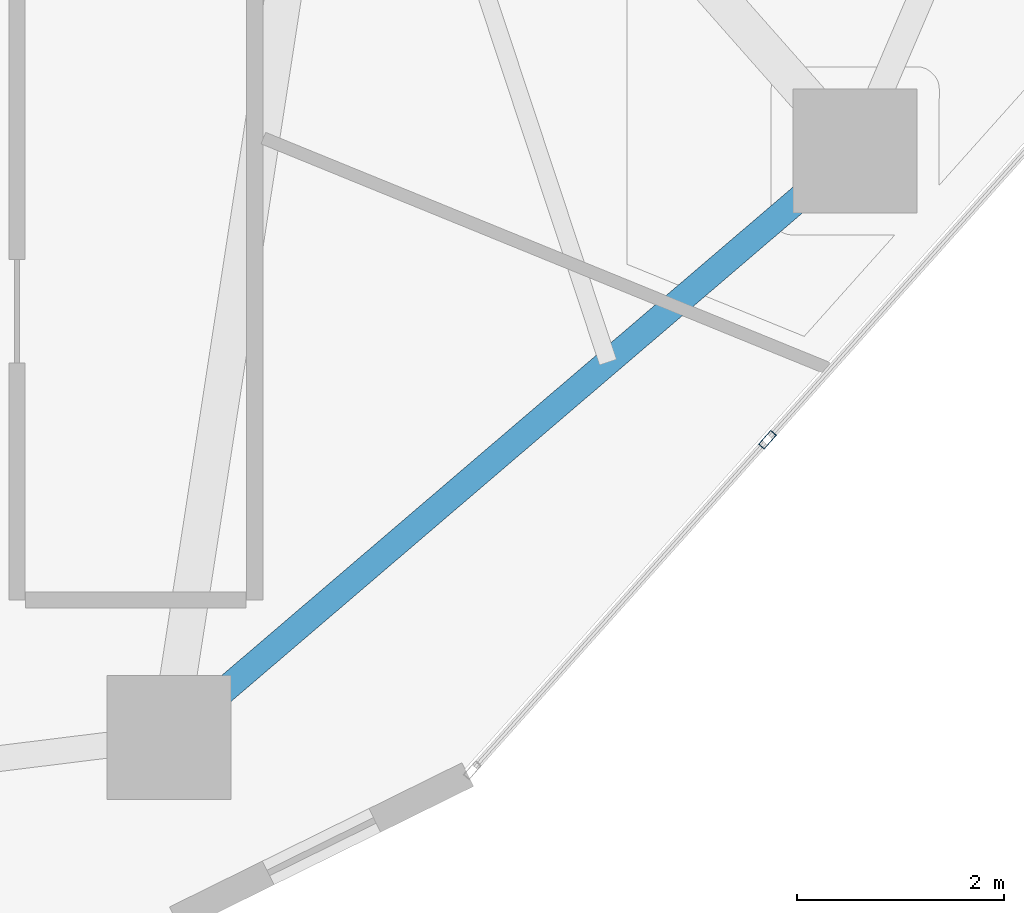
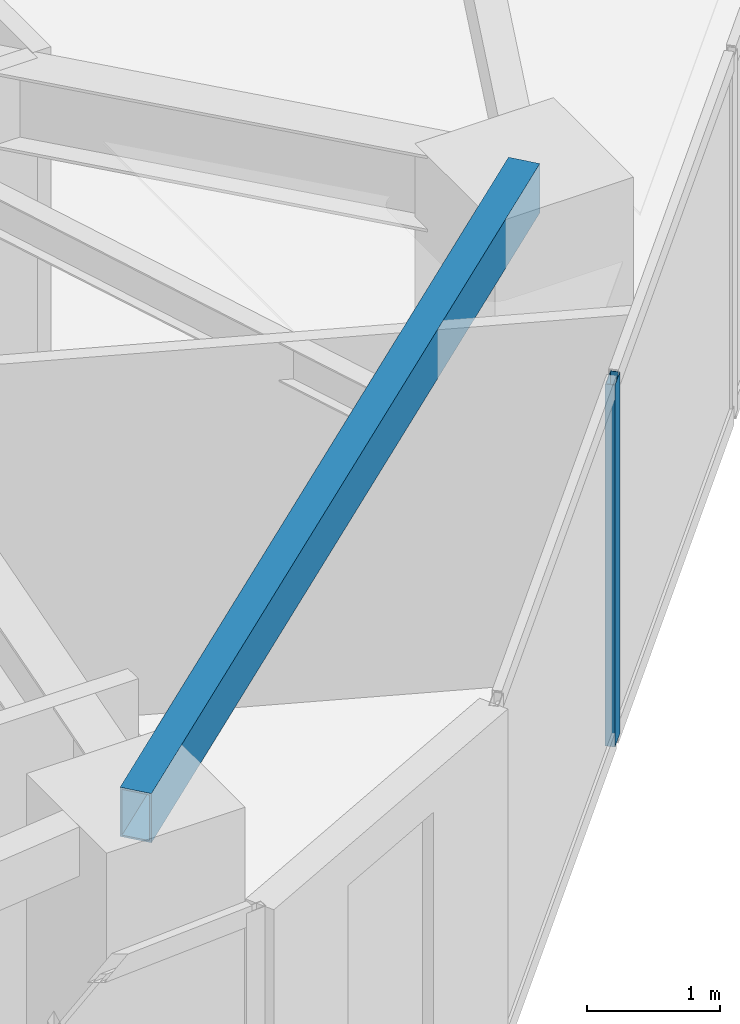
# One storey, part 7 of 23: 1 beam, 1 member, 1 element without a shape of its own.
"""IFC4 building model written with IfcOpenShell, lengths in metres."""

import ifcopenshell
import ifcopenshell.guid

model = None  # the IFC model being written
_history = None  # IfcOwnerHistory: only IFC2X3 demands one
_inside = {}  # id of a spatial element -> (the spatial element, [elements in it])
_under = {}  # id of a project, library or spatial element -> (it, [spatial elements below it])
_declared = {}  # id of a project -> (the project, [libraries it declares])
_typed = {}  # id of a type object -> (the type object, [elements of that type])
_made_of = {}  # id of a material, layer set ... -> (it, [elements and type objects made of it])


def new_model(schema):
    """Start an empty IFC model of exactly this schema.

    Asked for "IFC4X3", IfcOpenShell would pick the latest addendum, in which some entities
    have other attributes; the version numbers below select the first issue.
    IFC2X3 requires an IfcOwnerHistory on every rooted entity: one is made here for all.
    """
    global model, _history
    if schema == "IFC4X3":
        model = ifcopenshell.file(schema_version=(4, 3, 0, 0))
    else:
        model = ifcopenshell.file(schema=schema)
    _inside.clear()
    _under.clear()
    _declared.clear()
    _typed.clear()
    _made_of.clear()
    _history = None
    if model.schema == "IFC2X3":
        org = make("IfcOrganization", Name="unknown")
        user = make(
            "IfcPersonAndOrganization",
            ThePerson=make("IfcPerson", FamilyName="unknown"),
            TheOrganization=org,
        )
        app = make(
            "IfcApplication",
            ApplicationDeveloper=org,
            Version="unknown",
            ApplicationFullName="unknown",
            ApplicationIdentifier="unknown",
        )
        _history = make(
            "IfcOwnerHistory",
            OwningUser=user,
            OwningApplication=app,
            ChangeAction="ADDED",
            CreationDate=0,
        )
    return model


def make(cls, **values):
    """One entity of the class cls with the attributes given. An attribute that is None is left unset."""
    return model.create_entity(
        cls, **{name: value for name, value in values.items() if value is not None}
    )


def rooted(cls, **values):
    """An entity with a GlobalId (a new one), such as an element, a storey or a relation."""
    return make(cls, GlobalId=ifcopenshell.guid.new(), OwnerHistory=_history, **values)


def si_unit(unit_type, name, prefix=None):
    """IfcSIUnit, for example si_unit("LENGTHUNIT", "METRE", prefix="MILLI")."""
    return make("IfcSIUnit", UnitType=unit_type, Prefix=prefix, Name=name)


def assignment(units):
    """IfcUnitAssignment: the units of a project."""
    return None if units is None else make("IfcUnitAssignment", Units=units)


def point(xyz):
    """IfcCartesianPoint."""
    return None if xyz is None else make("IfcCartesianPoint", Coordinates=xyz)


def direction(xyz):
    """IfcDirection."""
    return None if xyz is None else make("IfcDirection", DirectionRatios=xyz)


def frame(location, z_axis=None, x_axis=None):
    """IfcAxis2Placement3D, a coordinate frame: its origin and axes. An axis left out is left unset."""
    return make(
        "IfcAxis2Placement3D",
        Location=point(location),
        Axis=direction(z_axis),
        RefDirection=direction(x_axis),
    )


def frame_2d(location, x_axis=None):
    """IfcAxis2Placement2D, a coordinate frame in the plane: its origin and x axis."""
    return make(
        "IfcAxis2Placement2D", Location=point(location), RefDirection=direction(x_axis)
    )


def origin():
    """The frame at (0, 0, 0) with its axes left unset."""
    return frame((0.0, 0.0, 0.0))


def origin_2d():
    """The frame at (0, 0) in the plane with its x axis left unset."""
    return frame_2d((0.0, 0.0))


def place(relative_to, where):
    """IfcLocalPlacement: puts the frame where relative to a parent placement (None: the world)."""
    return make(
        "IfcLocalPlacement", PlacementRelTo=relative_to, RelativePlacement=where
    )


def context(
    kind, dimensions, precision=None, world=None, true_north=None, identifier=None
):
    """IfcGeometricRepresentationContext, for example the 3D "Model" context."""
    return make(
        "IfcGeometricRepresentationContext",
        ContextIdentifier=identifier,
        ContextType=kind,
        CoordinateSpaceDimension=dimensions,
        Precision=precision,
        WorldCoordinateSystem=world,
        TrueNorth=true_north,
    )


def subcontext(parent, identifier, kind, view, scale=None):
    """IfcGeometricRepresentationSubContext, for example "Body" below "Model"."""
    return make(
        "IfcGeometricRepresentationSubContext",
        ContextIdentifier=identifier,
        ContextType=kind,
        ParentContext=parent,
        TargetScale=scale,
        TargetView=view,
    )


def project(units=None, contexts=None):
    """IfcProject with its units and contexts."""
    return rooted(
        "IfcProject",
        Name="project",
        RepresentationContexts=contexts,
        UnitsInContext=assignment(units),
    )


def spatial(cls, under=None, at=None, **own):
    """A site, building, storey or space (cls), placed at a placement, below another one or the project."""
    s = rooted(cls, ObjectPlacement=at, **own)
    if under is not None:
        _under.setdefault(under.id(), (under, []))[1].append(s)
    return s


def profile(cls, at=None, kind="AREA", **sizes):
    """A parametric profile (cls). Its sizes go by their IFC names, for example OverallWidth=200.0."""
    return make(cls, ProfileType=kind, Position=at, **sizes)


def hollow_rectangle(**sizes):
    """IfcRectangleHollowProfileDef."""
    return profile("IfcRectangleHollowProfileDef", **sizes)


def extrude(swept, where, along, depth):
    """IfcExtrudedAreaSolid: the profile swept, set in the frame where, extruded along a direction by depth."""
    return make(
        "IfcExtrudedAreaSolid",
        SweptArea=swept,
        Position=where,
        ExtrudedDirection=direction(along),
        Depth=depth,
    )


def shape(context_of_items, identifier, shape_type, items):
    """IfcShapeRepresentation: the items that make up one representation, for example the "Body"."""
    return make(
        "IfcShapeRepresentation",
        ContextOfItems=context_of_items,
        RepresentationIdentifier=identifier,
        RepresentationType=shape_type,
        Items=items,
    )


def source(mapping_origin, context_of_items, identifier, shape_type, items):
    """IfcRepresentationMap: a shape defined once, which mapped items show again and again."""
    return make(
        "IfcRepresentationMap",
        MappingOrigin=mapping_origin,
        MappedRepresentation=shape(context_of_items, identifier, shape_type, items),
    )


def transform(
    local_origin,
    x_axis=None,
    y_axis=None,
    z_axis=None,
    scale=None,
    scale2=None,
    scale3=None,
    uniform=True,
):
    """IfcCartesianTransformationOperator3D, or its non-uniform kind. x_axis, y_axis, z_axis: its Axis1, 2, 3."""
    if uniform:
        return make(
            "IfcCartesianTransformationOperator3D",
            Axis1=direction(x_axis),
            Axis2=direction(y_axis),
            LocalOrigin=point(local_origin),
            Scale=scale,
            Axis3=direction(z_axis),
        )
    return make(
        "IfcCartesianTransformationOperator3DnonUniform",
        Axis1=direction(x_axis),
        Axis2=direction(y_axis),
        LocalOrigin=point(local_origin),
        Scale=scale,
        Axis3=direction(z_axis),
        Scale2=scale2,
        Scale3=scale3,
    )


def mapped(mapping_source, mapping_target):
    """IfcMappedItem: shows the shape of a source again, moved by a transform."""
    return make(
        "IfcMappedItem", MappingSource=mapping_source, MappingTarget=mapping_target
    )


def material(Name=None, Category=None):
    """IfcMaterial."""
    return make("IfcMaterial", Name=Name, Category=Category)


def layer(
    of_material, thickness, ventilated=None, Name=None, Category=None, Priority=None
):
    """IfcMaterialLayer: one layer of a wall or slab, of a material (None: an air gap)."""
    return make(
        "IfcMaterialLayer",
        Material=of_material,
        LayerThickness=thickness,
        IsVentilated=ventilated,
        Name=Name,
        Category=Category,
        Priority=Priority,
    )


def layer_set(layers, Name=None):
    """IfcMaterialLayerSet."""
    return make("IfcMaterialLayerSet", MaterialLayers=layers, LayerSetName=Name)


def material_profile(
    of_material, cross_section, Name=None, Category=None, Priority=None
):
    """IfcMaterialProfile: a cross section and its material."""
    return make(
        "IfcMaterialProfile",
        Name=Name,
        Material=of_material,
        Profile=cross_section,
        Priority=Priority,
        Category=Category,
    )


def profile_set(profiles, Name=None, composite=None):
    """IfcMaterialProfileSet."""
    return make(
        "IfcMaterialProfileSet",
        Name=Name,
        MaterialProfiles=profiles,
        CompositeProfile=composite,
    )


def made_of(thing, what):
    """Note that an element or type object is made of a material, layer set ...; save() writes the relation."""
    if what is not None:
        _made_of.setdefault(what.id(), (what, []))[1].append(thing)
    return thing


def type_object(cls, material=None, **own):
    """A type object (cls), such as IfcWallType, which elements share."""
    return made_of(rooted(cls, **own), material)


def type_shapes(of_type, sources):
    """Give a type object the sources (RepresentationMaps) that its elements show as mapped items."""
    of_type.RepresentationMaps = sources


def element(
    cls,
    number,
    at=None,
    inside=None,
    cuts=None,
    type_object=None,
    material=None,
    context=None,
    identifier="Body",
    shape_type=None,
    held_by="IfcProductDefinitionShape",
    body=None,
    shapes=None,
    **own,
):
    """One element of the class cls, such as IfcWall. Its Tag is "e" and its number.

    at: its placement. inside: the storey or other place that contains it. cuts: it is an
    opening in that element (IfcRelVoidsElement). A single representation is given by context,
    identifier, shape_type and body (its items); several are given by shapes. held_by: the class
    of the entity that holds the representations. save() writes the other relations.
    """
    e = rooted(cls, Tag="e%d" % number, ObjectPlacement=at, **own)
    if body is not None:
        shapes = [shape(context, identifier, shape_type, body)]
    if shapes is not None:
        e.Representation = make(held_by, Representations=shapes)
    if inside is not None:
        _inside.setdefault(inside.id(), (inside, []))[1].append(e)
    if cuts is not None:
        rooted(
            "IfcRelVoidsElement", RelatingBuildingElement=cuts, RelatedOpeningElement=e
        )
    if type_object is not None:
        _typed.setdefault(type_object.id(), (type_object, []))[1].append(e)
    return made_of(e, material)


def aggregate(whole, parts):
    """IfcRelAggregates: a whole, such as a stair, and the parts it consists of."""
    return rooted("IfcRelAggregates", RelatingObject=whole, RelatedObjects=parts)


def save(model, path):
    """Write the relations noted so far, then the file.

    IfcRelAggregates (storeys below a building ...), IfcRelContainedInSpatialStructure (elements
    in a storey), IfcRelDefinesByType, IfcRelAssociatesMaterial and IfcRelDeclares: one each for
    every whole, place, type object, material and project.
    """
    for whole, parts in _under.values():
        aggregate(whole, parts)
    for where, things in _inside.values():
        rooted(
            "IfcRelContainedInSpatialStructure",
            RelatedElements=things,
            RelatingStructure=where,
        )
    for kind, things in _typed.values():
        rooted("IfcRelDefinesByType", RelatedObjects=things, RelatingType=kind)
    for what, things in _made_of.values():
        rooted("IfcRelAssociatesMaterial", RelatedObjects=things, RelatingMaterial=what)
    for by, libraries in _declared.values():
        rooted("IfcRelDeclares", RelatingContext=by, RelatedDefinitions=libraries)
    model.write(path)


model = new_model("IFC4")

# Units and contexts
model_context = context("Model", 3, precision=1e-05, world=origin(), true_north=direction((0.0, 1.0)))
body_context = subcontext(model_context, "Body", "Model", "MODEL_VIEW")
ifc_project = project(units=[si_unit("LENGTHUNIT", "METRE"), si_unit("AREAUNIT", "SQUARE_METRE"), si_unit("VOLUMEUNIT", "CUBIC_METRE"), si_unit("PLANEANGLEUNIT", "RADIAN"), si_unit("MASSUNIT", "GRAM", prefix="KILO")], contexts=[model_context])

# Site, building, storey
site_placement = place(None, origin())
site = spatial("IfcSite", under=ifc_project, at=site_placement, CompositionType="ELEMENT")
building_placement = place(site_placement, origin())
building = spatial("IfcBuilding", under=site, at=building_placement, Name="Talar Marvaseh", CompositionType="ELEMENT")
storey_placement = place(building_placement, frame((0.0, 0.0, 103.800048828125)))
storey = spatial("IfcBuildingStorey", under=building, at=storey_placement, Name="L26", CompositionType="ELEMENT", Elevation=103.800048828125)

# Beam
ifc_material_1 = material(Name="Steel S355", Category="steel")
ifc_material_profile_1 = material_profile(ifc_material_1, hollow_rectangle(XDim=0.25, YDim=0.449951171875, WallThickness=0.01611328125, at=origin_2d()), Name="RHS450x250x16")
ifc_profile_set_1 = profile_set([ifc_material_profile_1], Name="Steel S355")
beam_type = type_object("IfcBeamType", Name="Zone 2 Perimeter Spandrel Beam RHS450x250x16", PredefinedType="SPANDREL", material=ifc_profile_set_1)
beam_placement = place(storey_placement, frame((38.2060546875, 19.94091796875, 3.0849609375), z_axis=(-0.76011265597, -0.649791312833, 0.0), x_axis=(0.649791312833, -0.76011265597, 0.0)))
element("IfcBeam", 1, at=beam_placement, inside=storey, type_object=beam_type, Name="L26 Zone 2 Perimeter Spandrel Beam RHS450x250x16", PredefinedType="SPANDREL", context=body_context, shape_type="SweptSolid", body=[
    extrude(hollow_rectangle(XDim=0.25, YDim=0.449951171875, WallThickness=0.01611328125, at=origin_2d()), origin(), (0.0, 0.0, 1.0), 8.730224609375),
])

# Curtain wall, member
ifc_material_2 = material(Name="Architectural Aluminium", Category="aluminium")
ifc_layer = layer(ifc_material_2, 0.199951171875)
ifc_layer_set = layer_set([ifc_layer], Name="Architectural Aluminium")
curtain_wall_type = type_object("IfcCurtainWallType", Name="Unitised Acoustic Library Curtain Wall Z2", PredefinedType="NOTDEFINED", material=ifc_layer_set)
curtain_wall_placement = place(storey_placement, origin())
curtain_wall = element("IfcCurtainWall", 2, at=curtain_wall_placement, inside=storey, type_object=curtain_wall_type, Name="L26 Unitised Acoustic Library Curtain Wall Z2", PredefinedType="NOTDEFINED")
ifc_material_profile_2 = material_profile(ifc_material_2, hollow_rectangle(XDim=0.074951171875, YDim=0.179931640625, WallThickness=0.0048828125, at=origin_2d()), Name="RHS180x75x5")
ifc_profile_set_2 = profile_set([ifc_material_profile_2], Name="Architectural Aluminium")
member_type = type_object("IfcMemberType", Name="Unitised Curtain Wall Standard Mullion RHS180x75x5", PredefinedType="MULLION", material=ifc_profile_set_2)
shared_shape = source(origin(), body_context, "Body", "SweptSolid", [
    extrude(hollow_rectangle(XDim=0.074951171875, YDim=0.179931640625, WallThickness=0.0048828125, at=origin_2d()), origin(), (0.0, 0.0, 1.0), 3.31005859375),
])
type_shapes(member_type, [shared_shape])
member_placement = place(storey_placement, frame((37.358642578125, 17.14892578125, 0.0), z_axis=(0.0, 0.0, 1.0), x_axis=(0.745952517382, -0.665999130489, 0.0)))
member = element("IfcMember", 3, at=member_placement, type_object=member_type, Name="CW-Z2 mullion 5", PredefinedType="MULLION", context=body_context, shape_type="MappedRepresentation", body=[
    mapped(shared_shape, transform((0.0, 0.0, 0.0), x_axis=(1.0, 0.0, 0.0), y_axis=(0.0, 1.0, 0.0), z_axis=(0.0, 0.0, 1.0), scale=1.0)),
])
aggregate(curtain_wall, [member])

save(model, "model.ifc")
